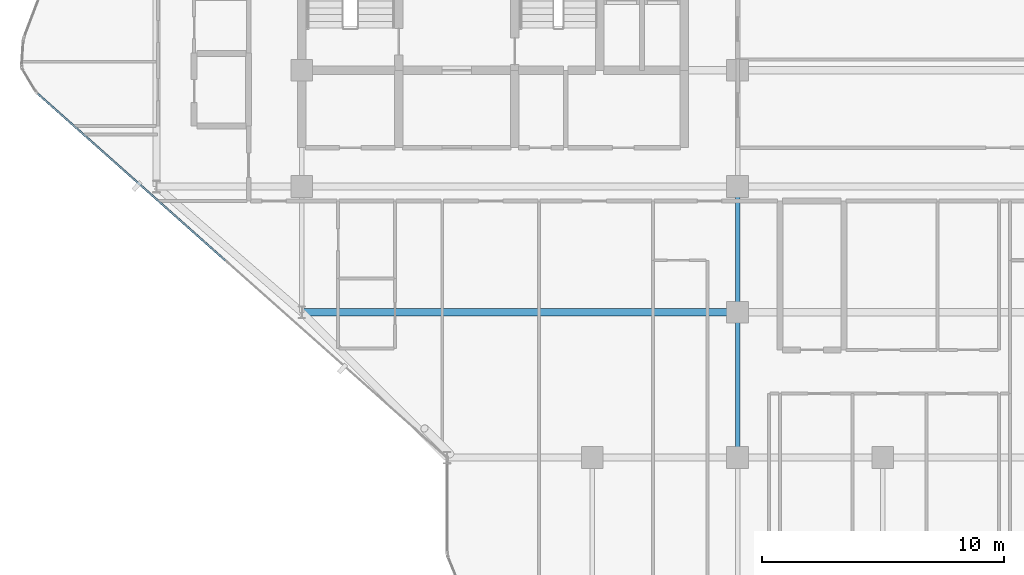
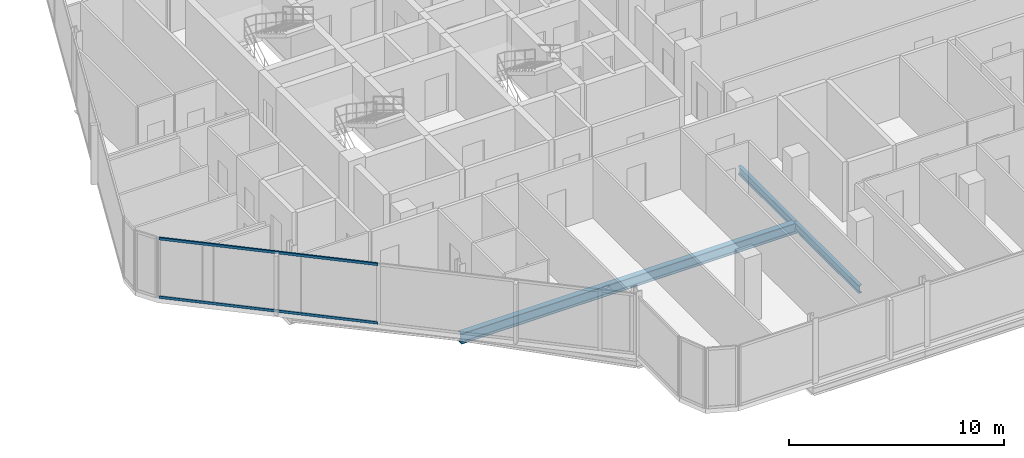
# One storey, part 6 of 31: 3 beams, 2 members, 1 element without a shape of its own.
"""IFC4 building model written with IfcOpenShell, lengths in metres."""

from ifc_helpers import new_model, si_unit, direction, frame, origin, origin_2d, place, context, subcontext, project, spatial, hollow_rectangle, i_section, extrude, material, layer, layer_set, material_profile, profile_set, type_object, element, aggregate, save


model = new_model("IFC4")

# Units and contexts
model_context = context("Model", 3, precision=1e-05, world=origin(), true_north=direction((0.0, 1.0)))
body_context = subcontext(model_context, "Body", "Model", "MODEL_VIEW")
ifc_project = project(units=[si_unit("LENGTHUNIT", "METRE"), si_unit("AREAUNIT", "SQUARE_METRE"), si_unit("VOLUMEUNIT", "CUBIC_METRE"), si_unit("PLANEANGLEUNIT", "RADIAN"), si_unit("MASSUNIT", "GRAM", prefix="KILO")], contexts=[model_context])

# Site, building, storey
site_placement = place(None, origin())
site = spatial("IfcSite", under=ifc_project, at=site_placement, CompositionType="ELEMENT")
building_placement = place(site_placement, origin())
building = spatial("IfcBuilding", under=site, at=building_placement, Name="Keshet Zoharim Tower", CompositionType="ELEMENT")
storey_placement = place(building_placement, frame((0.0, 0.0, 140.89990234375)))
storey = spatial("IfcBuildingStorey", under=building, at=storey_placement, Name="L34", CompositionType="ELEMENT", Elevation=140.89990234375)

# Beams
ifc_material_1 = material(Name="Steel S355", Category="steel")
ifc_material_profile_1 = material_profile(ifc_material_1, i_section(OverallWidth=0.300048828125, OverallDepth=0.60009765625, WebThickness=0.015380859375, FlangeThickness=0.030029296875, FilletRadius=0.027099609375, at=origin_2d()), Name="HEB600")
ifc_profile_set_1 = profile_set([ifc_material_profile_1], Name="Steel S355")
beam_type_1 = type_object("IfcBeamType", Name="BM-LNG-HB600", PredefinedType="BEAM", material=ifc_profile_set_1)
beam_1_placement = place(storey_placement, frame((15.0, 12.699951171875, -0.614990234375), z_axis=(1.0, 0.0, 0.0), x_axis=(0.0, 1.0, 0.0)))
element("IfcBeam", 1, at=beam_1_placement, inside=storey, type_object=beam_type_1, Name="L34 Primary Girder X-009", PredefinedType="BEAM", context=body_context, shape_type="SweptSolid", body=[
    extrude(i_section(OverallWidth=0.300048828125, OverallDepth=0.60009765625, WebThickness=0.015380859375, FlangeThickness=0.030029296875, FilletRadius=0.027099609375, at=origin_2d()), origin(), (0.0, 0.0, 1.0), 18.0),
])
ifc_material_profile_2 = material_profile(ifc_material_1, i_section(OverallWidth=0.18994140625, OverallDepth=0.449951171875, WebThickness=0.009521484375, FlangeThickness=0.0146484375, FilletRadius=0.02099609375, at=origin_2d()), Name="IPE450")
ifc_profile_set_2 = profile_set([ifc_material_profile_2], Name="Steel S355")
beam_type_2 = type_object("IfcBeamType", Name="BM-PRI-IP450", PredefinedType="BEAM", material=ifc_profile_set_2)
beam_2_placement = place(storey_placement, frame((33.0, 6.699951171875, -0.539794921875), z_axis=(0.0, 1.0, 0.0), x_axis=(-1.0, 0.0, 0.0)))
element("IfcBeam", 2, at=beam_2_placement, inside=storey, type_object=beam_type_2, Name="L34 Primary Girder Y-006", PredefinedType="BEAM", context=body_context, shape_type="SweptSolid", body=[
    extrude(i_section(OverallWidth=0.18994140625, OverallDepth=0.449951171875, WebThickness=0.009521484375, FlangeThickness=0.0146484375, FilletRadius=0.02099609375, at=origin_2d()), origin(), (0.0, 0.0, 1.0), 6.0),
])
beam_3_placement = place(storey_placement, frame((33.0, 12.699951171875, -0.539794921875), z_axis=(0.0, 1.0, 0.0), x_axis=(-1.0, 0.0, 0.0)))
element("IfcBeam", 3, at=beam_3_placement, inside=storey, type_object=beam_type_2, Name="L34 Primary Girder Y-007", PredefinedType="BEAM", context=body_context, shape_type="SweptSolid", body=[
    extrude(i_section(OverallWidth=0.18994140625, OverallDepth=0.449951171875, WebThickness=0.009521484375, FlangeThickness=0.0146484375, FilletRadius=0.02099609375, at=origin_2d()), origin(), (0.0, 0.0, 1.0), 5.199951171875),
])

# Curtain wall, members
ifc_material_2 = material(Name="Aluminium 6063-T6", Category="aluminium")
ifc_layer = layer(ifc_material_2, 0.159912109375)
ifc_layer_set = layer_set([ifc_layer], Name="Aluminium 6063-T6")
curtain_wall_type = type_object("IfcCurtainWallType", Name="CW-SYS-03", PredefinedType="NOTDEFINED", material=ifc_layer_set)
curtain_wall_placement = place(storey_placement, origin())
curtain_wall = element("IfcCurtainWall", 4, at=curtain_wall_placement, inside=storey, type_object=curtain_wall_type, Name="L34 Unitised Curtain Wall 07 Part 2", PredefinedType="NOTDEFINED")
ifc_material_profile_3 = material_profile(ifc_material_2, hollow_rectangle(XDim=0.080078125, YDim=0.139892578125, WallThickness=0.00390625, at=origin_2d()), Name="TRN-80x140")
ifc_profile_set_3 = profile_set([ifc_material_profile_3], Name="Aluminium 6063-T6")
member_type = type_object("IfcMemberType", Name="CWT-T14", PredefinedType="USERDEFINED", material=ifc_profile_set_3)
member_1_placement = place(storey_placement, frame((11.8388671875, 14.84326171875, 0.03515625), z_axis=(-0.747411916254, 0.664360916552, 0.0), x_axis=(-0.664360916552, -0.747411916254, 0.0)))
member_1 = element("IfcMember", 5, at=member_1_placement, type_object=member_type, Name="CW-03 transom 2.1", ObjectType="TRANSOM", PredefinedType="USERDEFINED", context=body_context, shape_type="SweptSolid", body=[
    extrude(hollow_rectangle(XDim=0.080078125, YDim=0.139892578125, WallThickness=0.00390625, at=origin_2d()), origin(), (0.0, 0.0, 1.0), 10.37109375),
])
member_2_placement = place(storey_placement, frame((11.8388671875, 14.84326171875, 3.35009765625), z_axis=(-0.747411916254, 0.664360916552, 0.0), x_axis=(-0.664360916552, -0.747411916254, 0.0)))
member_2 = element("IfcMember", 6, at=member_2_placement, type_object=member_type, Name="CW-03 transom 2.2", ObjectType="TRANSOM", PredefinedType="USERDEFINED", context=body_context, shape_type="SweptSolid", body=[
    extrude(hollow_rectangle(XDim=0.080078125, YDim=0.139892578125, WallThickness=0.00390625, at=origin_2d()), origin(), (0.0, 0.0, 1.0), 10.37109375),
])
aggregate(curtain_wall, [member_1, member_2])

save(model, "model.ifc")
